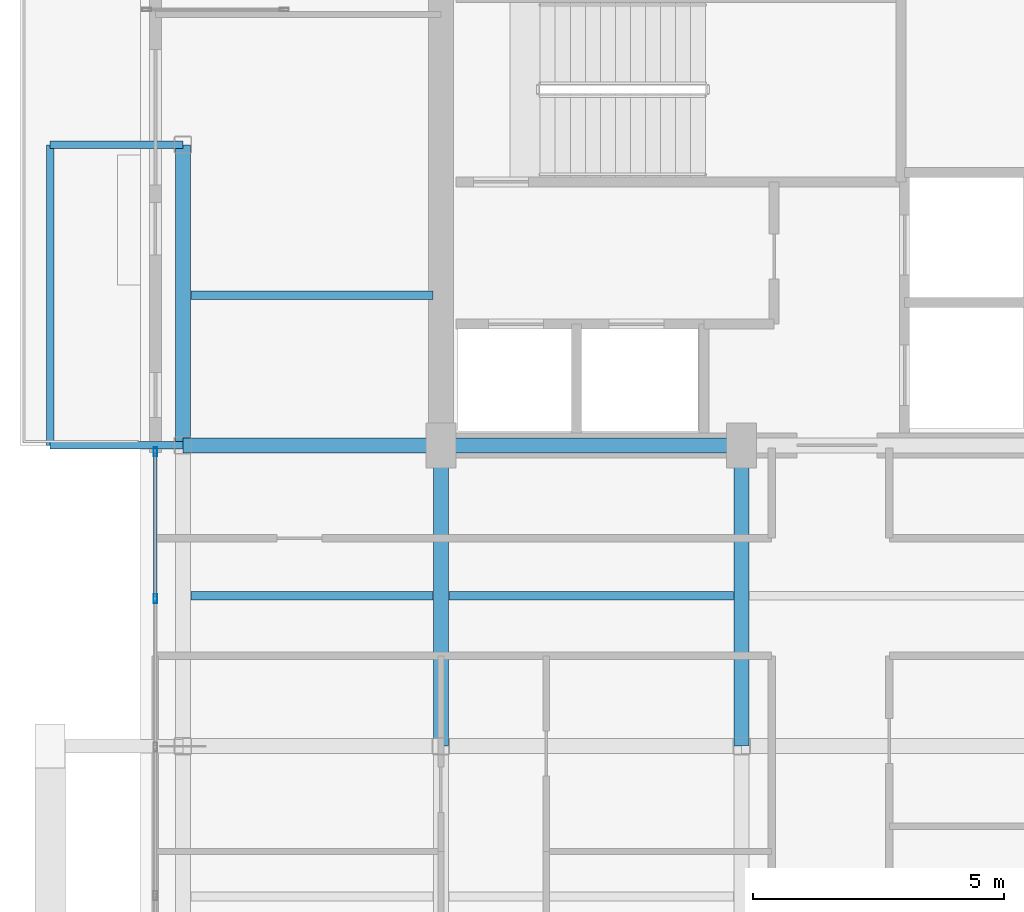
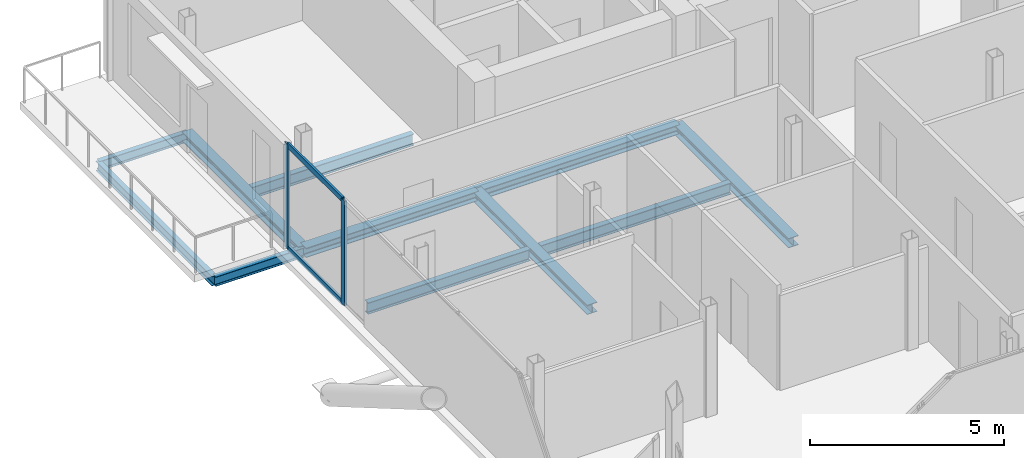
# One storey, part 6 of 18: 11 beams, 4 members, 1 element without a shape of its own.
"""IFC4 building model written with IfcOpenShell, lengths in metres."""

from ifc_helpers import new_model, si_unit, direction, frame, origin, origin_2d, place, context, subcontext, project, spatial, hollow_rectangle, i_section, extrude, material, layer, layer_set, material_profile, profile_set, type_object, element, aggregate, save


model = new_model("IFC4")

# Units and contexts
model_context = context("Model", 3, precision=1e-05, world=origin(), true_north=direction((0.0, 1.0)))
body_context = subcontext(model_context, "Body", "Model", "MODEL_VIEW")
ifc_project = project(units=[si_unit("LENGTHUNIT", "METRE"), si_unit("AREAUNIT", "SQUARE_METRE"), si_unit("VOLUMEUNIT", "CUBIC_METRE"), si_unit("PLANEANGLEUNIT", "RADIAN"), si_unit("MASSUNIT", "GRAM", prefix="KILO"), si_unit("THERMODYNAMICTEMPERATUREUNIT", "KELVIN"), si_unit("POWERUNIT", "WATT")], contexts=[model_context])

# Site, building, storey
site_placement = place(None, origin())
site = spatial("IfcSite", under=ifc_project, at=site_placement, CompositionType="ELEMENT")
building_placement = place(site_placement, origin())
building = spatial("IfcBuilding", under=site, at=building_placement, Name="Svarakhadi Broadcast Tower", CompositionType="ELEMENT")
storey_placement = place(building_placement, frame((0.0, 0.0, 260.699951171875)))
storey = spatial("IfcBuildingStorey", under=building, at=storey_placement, Name="L65", CompositionType="ELEMENT", Elevation=260.699951171875)

# Beams
ifc_material_1 = material(Name="Steel S355J2 (IS 2062 E350C)", Category="steel")
ifc_material_profile_1 = material_profile(ifc_material_1, i_section(OverallWidth=0.169921875, OverallDepth=0.360107421875, WebThickness=0.008056640625, FlangeThickness=0.0126953125, FilletRadius=0.01806640625, at=origin_2d()), Name="NPB 360x170x57")
ifc_profile_set_1 = profile_set([ifc_material_profile_1], Name="Steel S355J2 (IS 2062 E350C)")
beam_type_1 = type_object("IfcBeamType", Name="Beam_NPB360", PredefinedType="BEAM", material=ifc_profile_set_1)
for number, where, z_axis, x_axis, name in (
    (1, (1.010009765625, 15.0, -0.3798828125), (1.0, 0.0, 0.0), (0.0, 1.0, 0.0), "L65 Secondary Composite Beam SB002"),
    (2, (1.010009765625, 21.0, -0.3798828125), (1.0, 0.0, 0.0), (0.0, 1.0, 0.0), "L65 Secondary Composite Beam SB003"),
):
    element("IfcBeam", number, at=place(storey_placement, frame(where, z_axis=z_axis, x_axis=x_axis)), inside=storey, type_object=beam_type_1, Name=name, PredefinedType="BEAM", context=body_context, shape_type="SweptSolid", body=[
        extrude(i_section(OverallWidth=0.169921875, OverallDepth=0.360107421875, WebThickness=0.008056640625, FlangeThickness=0.0126953125, FilletRadius=0.01806640625, at=origin_2d()), origin(), (0.0, 0.0, 1.0), 4.830078125),
    ])
beam_1_placement = place(storey_placement, frame((6.159912109375, 15.0, -0.3798828125), z_axis=(1.0, 0.0, 0.0), x_axis=(0.0, 1.0, 0.0)))
element("IfcBeam", 3, at=beam_1_placement, inside=storey, type_object=beam_type_1, Name="L65 Secondary Composite Beam SB006", PredefinedType="BEAM", context=body_context, shape_type="SweptSolid", body=[
    extrude(i_section(OverallWidth=0.169921875, OverallDepth=0.360107421875, WebThickness=0.008056640625, FlangeThickness=0.0126953125, FilletRadius=0.01806640625, at=origin_2d()), origin(), (0.0, 0.0, 1.0), 5.68017578125),
])

# Curtain wall, members
ifc_material_2 = material(Name="Anodised Bronze Aluminium AA 6063-T6", Category="aluminium")
ifc_layer = layer(ifc_material_2, 0.179931640625)
ifc_layer_set = layer_set([ifc_layer], Name="Anodised Bronze Aluminium AA 6063-T6")
curtain_wall_type = type_object("IfcCurtainWallType", Name="CW_Sys_05", PredefinedType="NOTDEFINED", material=ifc_layer_set)
curtain_wall_placement = place(storey_placement, origin())
curtain_wall = element("IfcCurtainWall", 4, at=curtain_wall_placement, inside=storey, type_object=curtain_wall_type, Name="L65 West Curtain Wall 02", PredefinedType="NOTDEFINED")
ifc_material_profile_2 = material_profile(ifc_material_2, hollow_rectangle(XDim=0.070068359375, YDim=0.179931640625, WallThickness=0.005615234375, at=origin_2d()), Name="ALU MULLION 180x70x6")
ifc_profile_set_2 = profile_set([ifc_material_profile_2], Name="Anodised Bronze Aluminium AA 6063-T6")
member_type_1 = type_object("IfcMemberType", Name="CW_Sys_05_Mul", PredefinedType="MULLION", material=ifc_profile_set_2)
member_1_placement = place(storey_placement, frame((0.300048828125, 14.946044921875, 0.0), z_axis=(0.0, 0.0, 1.0), x_axis=(-1.0, 0.0, 0.0)))
member_1 = element("IfcMember", 5, at=member_1_placement, type_object=member_type_1, Name="CW-05 mullion 5", PredefinedType="MULLION", context=body_context, shape_type="SweptSolid", body=[
    extrude(hollow_rectangle(XDim=0.070068359375, YDim=0.179931640625, WallThickness=0.005615234375, at=origin_2d()), origin(), (0.0, 0.0, 1.0), 3.300048828125),
])
member_2_placement = place(storey_placement, frame((0.300048828125, 17.875, 0.0), z_axis=(0.0, 0.0, 1.0), x_axis=(-1.0, 0.0, 0.0)))
member_2 = element("IfcMember", 6, at=member_2_placement, type_object=member_type_1, Name="CW-05 mullion 6", PredefinedType="MULLION", context=body_context, shape_type="SweptSolid", body=[
    extrude(hollow_rectangle(XDim=0.070068359375, YDim=0.179931640625, WallThickness=0.005615234375, at=origin_2d()), origin(), (0.0, 0.0, 1.0), 3.300048828125),
])
ifc_material_profile_3 = material_profile(ifc_material_2, hollow_rectangle(XDim=0.06494140625, YDim=0.1650390625, WallThickness=0.0048828125, at=origin_2d()), Name="ALU TRANSOM 165x65x5")
ifc_profile_set_3 = profile_set([ifc_material_profile_3], Name="Anodised Bronze Aluminium AA 6063-T6")
member_type_2 = type_object("IfcMemberType", Name="CW_Sys_05_Trn", PredefinedType="USERDEFINED", material=ifc_profile_set_3)
member_3_placement = place(storey_placement, frame((0.300048828125, 14.98095703125, 0.032470703125), z_axis=(0.0, 1.0, 0.0), x_axis=(-1.0, 0.0, 0.0)))
member_3 = element("IfcMember", 7, at=member_3_placement, type_object=member_type_2, Name="CW-05 transom 5.1", ObjectType="TRANSOM", PredefinedType="USERDEFINED", context=body_context, shape_type="SweptSolid", body=[
    extrude(hollow_rectangle(XDim=0.06494140625, YDim=0.1650390625, WallThickness=0.0048828125, at=origin_2d()), origin(), (0.0, 0.0, 1.0), 2.859130859375),
])
member_4_placement = place(storey_placement, frame((0.300048828125, 14.98095703125, 3.267578125), z_axis=(0.0, 1.0, 0.0), x_axis=(-1.0, 0.0, 0.0)))
member_4 = element("IfcMember", 8, at=member_4_placement, type_object=member_type_2, Name="CW-05 transom 5.2", ObjectType="TRANSOM", PredefinedType="USERDEFINED", context=body_context, shape_type="SweptSolid", body=[
    extrude(hollow_rectangle(XDim=0.06494140625, YDim=0.1650390625, WallThickness=0.0048828125, at=origin_2d()), origin(), (0.0, 0.0, 1.0), 2.859130859375),
])
aggregate(curtain_wall, [member_1, member_2, member_3, member_4])

# Beams
ifc_material_profile_4 = material_profile(ifc_material_1, i_section(OverallWidth=0.300048828125, OverallDepth=0.300048828125, WebThickness=0.010986328125, FlangeThickness=0.01904296875, FilletRadius=0.027099609375, at=origin_2d()), Name="WPB 300x300x117")
ifc_profile_set_4 = profile_set([ifc_material_profile_4], Name="Steel S355J2 (IS 2062 E350C)")
beam_type_2 = type_object("IfcBeamType", Name="Girder_WPB300", PredefinedType="USERDEFINED", material=ifc_profile_set_4)
beam_2_placement = place(storey_placement, frame((0.85009765625, 18.0, -0.349853515625), z_axis=(1.0, 0.0, 0.0), x_axis=(0.0, 1.0, 0.0)))
element("IfcBeam", 9, at=beam_2_placement, inside=storey, type_object=beam_type_2, Name="L65 Primary E-W Girder G017", ObjectType="GIRDER", PredefinedType="USERDEFINED", context=body_context, shape_type="SweptSolid", body=[
    extrude(i_section(OverallWidth=0.300048828125, OverallDepth=0.300048828125, WebThickness=0.010986328125, FlangeThickness=0.01904296875, FilletRadius=0.027099609375, at=origin_2d()), origin(), (0.0, 0.0, 1.0), 5.14990234375),
])
for number, where, z_axis, x_axis, name in (
    (10, (6.0, 18.0, -0.349853515625), (1.0, 0.0, 0.0), (0.0, 1.0, 0.0), "L65 Primary E-W Girder G018"),
    (11, (0.85009765625, 18.0, -0.349853515625), (0.0, 1.0, 0.0), (-1.0, 0.0, 0.0), "L65 Primary N-S Girder G028"),
    (12, (6.0, 12.0, -0.349853515625), (0.0, 1.0, 0.0), (-1.0, 0.0, 0.0), "L65 Primary N-S Girder G031"),
    (13, (12.0, 12.0, -0.349853515625), (0.0, 1.0, 0.0), (-1.0, 0.0, 0.0), "L65 Primary N-S Girder G035"),
):
    element("IfcBeam", number, at=place(storey_placement, frame(where, z_axis=z_axis, x_axis=x_axis)), inside=storey, type_object=beam_type_2, Name=name, ObjectType="GIRDER", PredefinedType="USERDEFINED", context=body_context, shape_type="SweptSolid", body=[
        extrude(i_section(OverallWidth=0.300048828125, OverallDepth=0.300048828125, WebThickness=0.010986328125, FlangeThickness=0.01904296875, FilletRadius=0.027099609375, at=origin_2d()), origin(), (0.0, 0.0, 1.0), 6.0),
    ])
ifc_material_profile_5 = material_profile(ifc_material_1, i_section(OverallWidth=0.14990234375, OverallDepth=0.300048828125, WebThickness=0.007080078125, FlangeThickness=0.0107421875, FilletRadius=0.014892578125, at=origin_2d()), Name="NPB 300x150x37")
ifc_profile_set_5 = profile_set([ifc_material_profile_5], Name="Steel S355J2 (IS 2062 E350C)")
beam_type_3 = type_object("IfcBeamType", Name="Spandrel_NPB300", PredefinedType="SPANDREL", material=ifc_profile_set_5)
for number, where, z_axis, x_axis, name in (
    (14, (0.85009765625, 18.0, -0.375), (-1.0, 0.0, 0.0), (0.0, -1.0, 0.0), "L65 Balcony Cantilever Bracket 2A"),
    (15, (0.85009765625, 24.0, -0.375), (-1.0, 0.0, 0.0), (0.0, -1.0, 0.0), "L65 Balcony Cantilever Bracket 2B"),
):
    element("IfcBeam", number, at=place(storey_placement, frame(where, z_axis=z_axis, x_axis=x_axis)), inside=storey, type_object=beam_type_3, Name=name, PredefinedType="SPANDREL", context=body_context, shape_type="SweptSolid", body=[
        extrude(i_section(OverallWidth=0.14990234375, OverallDepth=0.300048828125, WebThickness=0.007080078125, FlangeThickness=0.0107421875, FilletRadius=0.014892578125, at=origin_2d()), origin(), (0.0, 0.0, 1.0), 2.650146484375),
    ])
beam_3_placement = place(storey_placement, frame((-1.800048828125, 18.0, -0.375), z_axis=(0.0, 1.0, 0.0), x_axis=(-1.0, 0.0, 0.0)))
element("IfcBeam", 16, at=beam_3_placement, inside=storey, type_object=beam_type_3, Name="L65 Balcony Outer Spandrel 2F", PredefinedType="SPANDREL", context=body_context, shape_type="SweptSolid", body=[
    extrude(i_section(OverallWidth=0.14990234375, OverallDepth=0.300048828125, WebThickness=0.007080078125, FlangeThickness=0.0107421875, FilletRadius=0.014892578125, at=origin_2d()), origin(), (0.0, 0.0, 1.0), 6.0),
])

save(model, "model.ifc")
